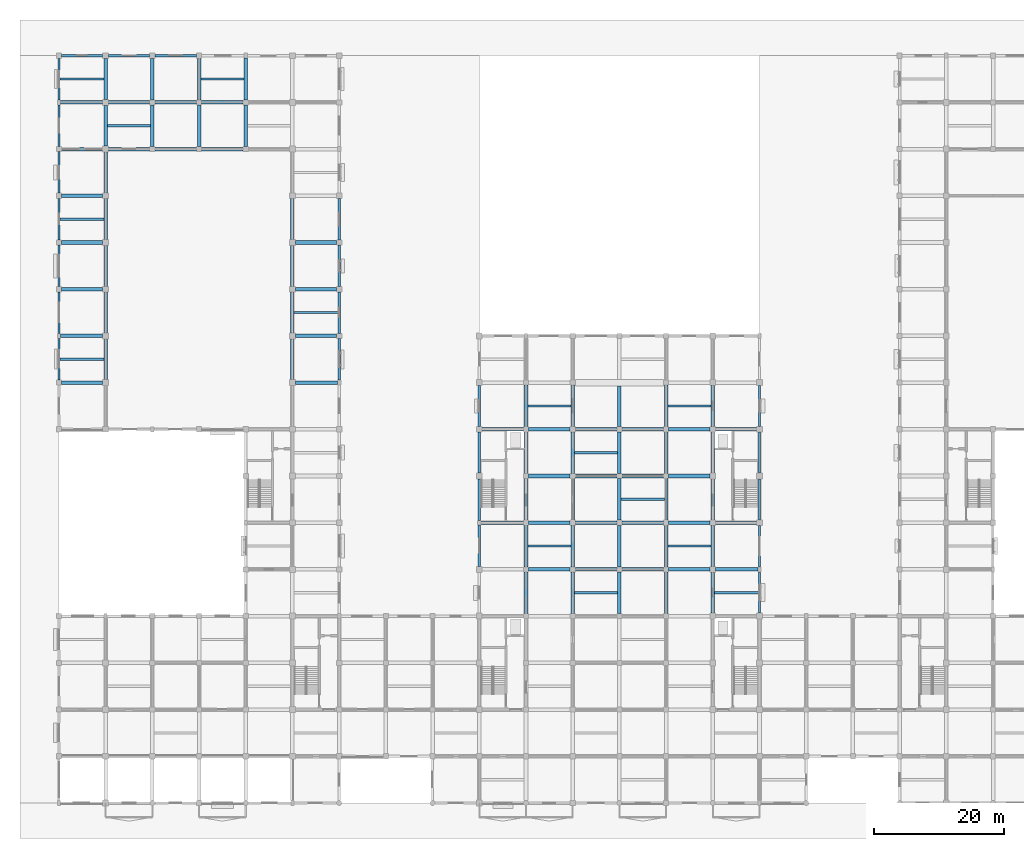
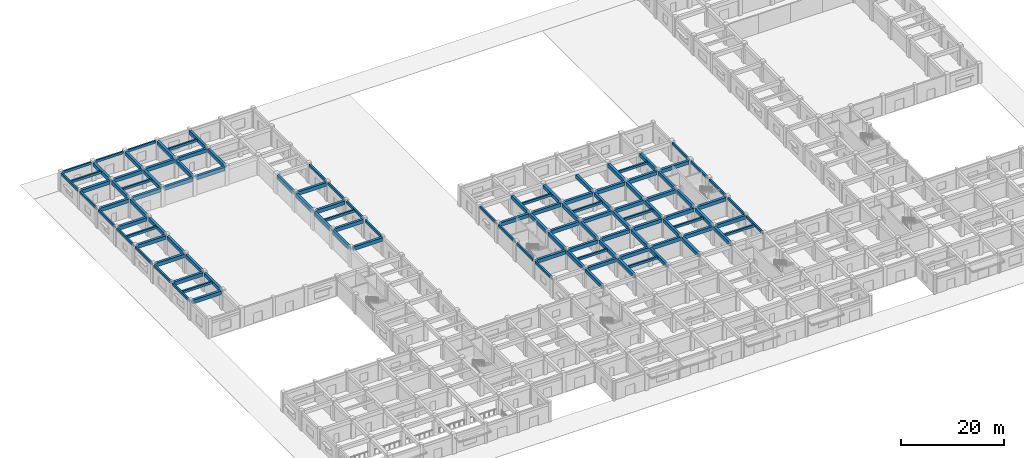
# One storey, part 4 of 37: 117 beams.
"""IFC4 building model written with IfcOpenShell, lengths in metres."""

from ifc_helpers import new_model, si_unit, direction, frame, origin, origin_2d, place, context, subcontext, project, spatial, rectangle, extrude, material, material_profile, profile_set, type_object, element, save


model = new_model("IFC4")

# Units and contexts
model_context = context("Model", 3, precision=1e-05, world=origin(), true_north=direction((0.0, 1.0)))
body_context = subcontext(model_context, "Body", "Model", "MODEL_VIEW")
ifc_project = project(units=[si_unit("LENGTHUNIT", "METRE"), si_unit("AREAUNIT", "SQUARE_METRE"), si_unit("VOLUMEUNIT", "CUBIC_METRE"), si_unit("PLANEANGLEUNIT", "RADIAN"), si_unit("MASSUNIT", "GRAM", prefix="KILO")], contexts=[model_context])

# Site, building, storey
site_placement = place(None, origin())
site = spatial("IfcSite", under=ifc_project, at=site_placement, CompositionType="ELEMENT")
building_placement = place(site_placement, origin())
building = spatial("IfcBuilding", under=site, at=building_placement, Name="Cendaluz Park School", CompositionType="ELEMENT")
storey_placement = place(building_placement, origin())
storey = spatial("IfcBuildingStorey", under=building, at=storey_placement, Name="L00", CompositionType="ELEMENT", Elevation=0.0)

# Beams
ifc_material = material(Name="Concrete C40/50", Category="concrete")
ifc_material_profile_1 = material_profile(ifc_material, rectangle(XDim=0.550048828125, YDim=0.85009765625, at=origin_2d()), Name="RC 550x850", Category="concrete")
ifc_profile_set_1 = profile_set([ifc_material_profile_1], Name="Concrete C40/50")
beam_type_1 = type_object("IfcBeamType", Name="BM-RC01", PredefinedType="BEAM", material=ifc_profile_set_1)
beam_1_placement = place(storey_placement, frame((0.39990234375, 64.800048828125, 4.044921875), z_axis=(1.0, 0.0, 0.0), x_axis=(0.0, 1.0, 0.0)))
element("IfcBeam", 1, at=beam_1_placement, inside=storey, type_object=beam_type_1, Name="BM-L00-BMRC01-0007", PredefinedType="BEAM", context=body_context, shape_type="SweptSolid", body=[
    extrude(rectangle(XDim=0.550048828125, YDim=0.85009765625, at=origin_2d()), origin(), (0.0, 0.0, 1.0), 6.35009765625),
])
beam_2_placement = place(storey_placement, frame((0.25, 72.0, 4.044921875), z_axis=(1.0, 0.0, 0.0), x_axis=(0.0, 1.0, 0.0)))
element("IfcBeam", 2, at=beam_2_placement, inside=storey, type_object=beam_type_1, Name="BM-L00-BMRC01-0008", PredefinedType="BEAM", context=body_context, shape_type="SweptSolid", body=[
    extrude(rectangle(XDim=0.550048828125, YDim=0.85009765625, at=origin_2d()), origin(), (0.0, 0.0, 1.0), 6.5),
])
for number, where, z_axis, x_axis, name in (
    (3, (0.39990234375, 79.199951171875, 4.044921875), (1.0, 0.0, 0.0), (0.0, 1.0, 0.0), "BM-L00-BMRC01-0009"),
    (4, (0.39990234375, 86.39990234375, 4.044921875), (1.0, 0.0, 0.0), (0.0, 1.0, 0.0), "BM-L00-BMRC01-0010"),
    (5, (0.39990234375, 93.60009765625, 4.044921875), (1.0, 0.0, 0.0), (0.0, 1.0, 0.0), "BM-L00-BMRC01-0011"),
    (6, (0.39990234375, 100.800048828125, 4.044921875), (1.0, 0.0, 0.0), (0.0, 1.0, 0.0), "BM-L00-BMRC01-0012"),
):
    element("IfcBeam", number, at=place(storey_placement, frame(where, z_axis=z_axis, x_axis=x_axis)), inside=storey, type_object=beam_type_1, Name=name, PredefinedType="BEAM", context=body_context, shape_type="SweptSolid", body=[
        extrude(rectangle(XDim=0.550048828125, YDim=0.85009765625, at=origin_2d()), origin(), (0.0, 0.0, 1.0), 6.35009765625),
    ])
beam_3_placement = place(storey_placement, frame((0.25, 108.0, 4.044921875), z_axis=(1.0, 0.0, 0.0), x_axis=(0.0, 1.0, 0.0)))
element("IfcBeam", 7, at=beam_3_placement, inside=storey, type_object=beam_type_1, Name="BM-L00-BMRC01-0013", PredefinedType="BEAM", context=body_context, shape_type="SweptSolid", body=[
    extrude(rectangle(XDim=0.550048828125, YDim=0.85009765625, at=origin_2d()), origin(), (0.0, 0.0, 1.0), 6.5),
])
for number, where, z_axis, x_axis, name in (
    (8, (7.64990234375, 100.800048828125, 4.044921875), (1.0, 0.0, 0.0), (0.0, 1.0, 0.0), "BM-L00-BMRC01-0020"),
    (9, (7.64990234375, 108.0, 4.044921875), (1.0, 0.0, 0.0), (0.0, 1.0, 0.0), "BM-L00-BMRC01-0021"),
):
    element("IfcBeam", number, at=place(storey_placement, frame(where, z_axis=z_axis, x_axis=x_axis)), inside=storey, type_object=beam_type_1, Name=name, PredefinedType="BEAM", context=body_context, shape_type="SweptSolid", body=[
        extrude(rectangle(XDim=0.550048828125, YDim=0.85009765625, at=origin_2d()), origin(), (0.0, 0.0, 1.0), 6.35009765625),
    ])
for number, where, z_axis, x_axis, name in (
    (10, (14.800048828125, 100.800048828125, 4.044921875), (1.0, 0.0, 0.0), (0.0, 1.0, 0.0), "BM-L00-BMRC01-0028"),
    (11, (14.800048828125, 108.0, 4.044921875), (1.0, 0.0, 0.0), (0.0, 1.0, 0.0), "BM-L00-BMRC01-0029"),
    (12, (22.0, 100.800048828125, 4.044921875), (1.0, 0.0, 0.0), (0.0, 1.0, 0.0), "BM-L00-BMRC01-0036"),
    (13, (22.0, 108.0, 4.044921875), (1.0, 0.0, 0.0), (0.0, 1.0, 0.0), "BM-L00-BMRC01-0037"),
):
    element("IfcBeam", number, at=place(storey_placement, frame(where, z_axis=z_axis, x_axis=x_axis)), inside=storey, type_object=beam_type_1, Name=name, PredefinedType="BEAM", context=body_context, shape_type="SweptSolid", body=[
        extrude(rectangle(XDim=0.550048828125, YDim=0.85009765625, at=origin_2d()), origin(), (0.0, 0.0, 1.0), 6.39990234375),
    ])
beam_4_placement = place(storey_placement, frame((36.449951171875, 64.800048828125, 4.044921875), z_axis=(1.0, 0.0, 0.0), x_axis=(0.0, 1.0, 0.0)))
element("IfcBeam", 14, at=beam_4_placement, inside=storey, type_object=beam_type_1, Name="BM-L00-BMRC01-0058", PredefinedType="BEAM", context=body_context, shape_type="SweptSolid", body=[
    extrude(rectangle(XDim=0.550048828125, YDim=0.85009765625, at=origin_2d()), origin(), (0.0, 0.0, 1.0), 6.5),
])
for number, where, z_axis, x_axis, name in (
    (15, (36.449951171875, 72.0, 4.044921875), (1.0, 0.0, 0.0), (0.0, 1.0, 0.0), "BM-L00-BMRC01-0059"),
    (16, (36.449951171875, 79.199951171875, 4.044921875), (1.0, 0.0, 0.0), (0.0, 1.0, 0.0), "BM-L00-BMRC01-0060"),
    (17, (36.449951171875, 86.39990234375, 4.044921875), (1.0, 0.0, 0.0), (0.0, 1.0, 0.0), "BM-L00-BMRC01-0061"),
):
    element("IfcBeam", number, at=place(storey_placement, frame(where, z_axis=z_axis, x_axis=x_axis)), inside=storey, type_object=beam_type_1, Name=name, PredefinedType="BEAM", context=body_context, shape_type="SweptSolid", body=[
        extrude(rectangle(XDim=0.550048828125, YDim=0.85009765625, at=origin_2d()), origin(), (0.0, 0.0, 1.0), 6.35009765625),
    ])
beam_5_placement = place(storey_placement, frame((65.050048828125, 43.199951171875, 4.044921875), z_axis=(1.0, 0.0, 0.0), x_axis=(0.0, 1.0, 0.0)))
element("IfcBeam", 18, at=beam_5_placement, inside=storey, type_object=beam_type_1, Name="BM-L00-BMRC01-0084", PredefinedType="BEAM", context=body_context, shape_type="SweptSolid", body=[
    extrude(rectangle(XDim=0.550048828125, YDim=0.85009765625, at=origin_2d()), origin(), (0.0, 0.0, 1.0), 6.550048828125),
])
beam_6_placement = place(storey_placement, frame((65.25, 57.60009765625, 4.044921875), z_axis=(1.0, 0.0, 0.0), x_axis=(0.0, 1.0, 0.0)))
element("IfcBeam", 19, at=beam_6_placement, inside=storey, type_object=beam_type_1, Name="BM-L00-BMRC01-0085", PredefinedType="BEAM", context=body_context, shape_type="SweptSolid", body=[
    extrude(rectangle(XDim=0.550048828125, YDim=0.85009765625, at=origin_2d()), origin(), (0.0, 0.0, 1.0), 6.35009765625),
])
for number, where, z_axis, x_axis, name in (
    (20, (72.39990234375, 36.0, 4.044921875), (1.0, 0.0, 0.0), (0.0, 1.0, 0.0), "BM-L00-BMRC01-0093"),
    (21, (72.39990234375, 43.199951171875, 4.044921875), (1.0, 0.0, 0.0), (0.0, 1.0, 0.0), "BM-L00-BMRC01-0094"),
    (22, (72.39990234375, 50.39990234375, 4.044921875), (1.0, 0.0, 0.0), (0.0, 1.0, 0.0), "BM-L00-BMRC01-0095"),
    (23, (72.39990234375, 57.60009765625, 4.044921875), (1.0, 0.0, 0.0), (0.0, 1.0, 0.0), "BM-L00-BMRC01-0096"),
):
    element("IfcBeam", number, at=place(storey_placement, frame(where, z_axis=z_axis, x_axis=x_axis)), inside=storey, type_object=beam_type_1, Name=name, PredefinedType="BEAM", context=body_context, shape_type="SweptSolid", body=[
        extrude(rectangle(XDim=0.550048828125, YDim=0.85009765625, at=origin_2d()), origin(), (0.0, 0.0, 1.0), 6.400146484375),
    ])
for number, where, z_axis, x_axis, name in (
    (24, (79.60009765625, 36.0, 4.044921875), (1.0, 0.0, 0.0), (0.0, 1.0, 0.0), "BM-L00-BMRC01-0104"),
    (25, (79.60009765625, 43.199951171875, 4.044921875), (1.0, 0.0, 0.0), (0.0, 1.0, 0.0), "BM-L00-BMRC01-0105"),
    (26, (79.60009765625, 50.39990234375, 4.044921875), (1.0, 0.0, 0.0), (0.0, 1.0, 0.0), "BM-L00-BMRC01-0106"),
    (27, (79.60009765625, 57.60009765625, 4.044921875), (1.0, 0.0, 0.0), (0.0, 1.0, 0.0), "BM-L00-BMRC01-0107"),
    (28, (86.800048828125, 36.0, 4.044921875), (1.0, 0.0, 0.0), (0.0, 1.0, 0.0), "BM-L00-BMRC01-0114"),
    (29, (86.800048828125, 43.199951171875, 4.044921875), (1.0, 0.0, 0.0), (0.0, 1.0, 0.0), "BM-L00-BMRC01-0115"),
    (30, (86.800048828125, 50.39990234375, 4.044921875), (1.0, 0.0, 0.0), (0.0, 1.0, 0.0), "BM-L00-BMRC01-0116"),
    (31, (86.800048828125, 57.60009765625, 4.044921875), (1.0, 0.0, 0.0), (0.0, 1.0, 0.0), "BM-L00-BMRC01-0117"),
):
    element("IfcBeam", number, at=place(storey_placement, frame(where, z_axis=z_axis, x_axis=x_axis)), inside=storey, type_object=beam_type_1, Name=name, PredefinedType="BEAM", context=body_context, shape_type="SweptSolid", body=[
        extrude(rectangle(XDim=0.550048828125, YDim=0.85009765625, at=origin_2d()), origin(), (0.0, 0.0, 1.0), 6.39990234375),
    ])
for number, where, z_axis, x_axis, name in (
    (32, (94.0, 36.0, 4.044921875), (1.0, 0.0, 0.0), (0.0, 1.0, 0.0), "BM-L00-BMRC01-0124"),
    (33, (94.0, 43.199951171875, 4.044921875), (1.0, 0.0, 0.0), (0.0, 1.0, 0.0), "BM-L00-BMRC01-0125"),
    (34, (94.0, 50.39990234375, 4.044921875), (1.0, 0.0, 0.0), (0.0, 1.0, 0.0), "BM-L00-BMRC01-0126"),
    (35, (94.0, 57.60009765625, 4.044921875), (1.0, 0.0, 0.0), (0.0, 1.0, 0.0), "BM-L00-BMRC01-0127"),
):
    element("IfcBeam", number, at=place(storey_placement, frame(where, z_axis=z_axis, x_axis=x_axis)), inside=storey, type_object=beam_type_1, Name=name, PredefinedType="BEAM", context=body_context, shape_type="SweptSolid", body=[
        extrude(rectangle(XDim=0.550048828125, YDim=0.85009765625, at=origin_2d()), origin(), (0.0, 0.0, 1.0), 6.35009765625),
    ])
beam_7_placement = place(storey_placement, frame((101.25, 36.0, 4.044921875), z_axis=(1.0, 0.0, 0.0), x_axis=(0.0, 1.0, 0.0)))
element("IfcBeam", 36, at=beam_7_placement, inside=storey, type_object=beam_type_1, Name="BM-L00-BMRC01-0134", PredefinedType="BEAM", context=body_context, shape_type="SweptSolid", body=[
    extrude(rectangle(XDim=0.550048828125, YDim=0.85009765625, at=origin_2d()), origin(), (0.0, 0.0, 1.0), 6.5),
])
for number, where, z_axis, x_axis, name in (
    (37, (101.25, 43.199951171875, 4.044921875), (1.0, 0.0, 0.0), (0.0, 1.0, 0.0), "BM-L00-BMRC01-0135"),
    (38, (101.25, 57.60009765625, 4.044921875), (1.0, 0.0, 0.0), (0.0, 1.0, 0.0), "BM-L00-BMRC01-0136"),
    (39, (7.199951171875, 65.25, 4.044921875), (0.0, 1.0, 0.0), (-1.0, 0.0, 0.0), "BM-L00-BMRC01-0234"),
    (40, (7.199951171875, 72.449951171875, 4.044921875), (0.0, 1.0, 0.0), (-1.0, 0.0, 0.0), "BM-L00-BMRC01-0235"),
    (41, (7.199951171875, 79.64990234375, 4.044921875), (0.0, 1.0, 0.0), (-1.0, 0.0, 0.0), "BM-L00-BMRC01-0236"),
):
    element("IfcBeam", number, at=place(storey_placement, frame(where, z_axis=z_axis, x_axis=x_axis)), inside=storey, type_object=beam_type_1, Name=name, PredefinedType="BEAM", context=body_context, shape_type="SweptSolid", body=[
        extrude(rectangle(XDim=0.550048828125, YDim=0.85009765625, at=origin_2d()), origin(), (0.0, 0.0, 1.0), 6.300048828125),
    ])
beam_8_placement = place(storey_placement, frame((7.199951171875, 86.85009765625, 4.044921875), z_axis=(0.0, 1.0, 0.0), x_axis=(-1.0, 0.0, 0.0)))
element("IfcBeam", 42, at=beam_8_placement, inside=storey, type_object=beam_type_1, Name="BM-L00-BMRC01-0237", PredefinedType="BEAM", context=body_context, shape_type="SweptSolid", body=[
    extrude(rectangle(XDim=0.550048828125, YDim=0.85009765625, at=origin_2d()), origin(), (0.0, 0.0, 1.0), 6.2998046875),
])
for number, where, z_axis, x_axis, name in (
    (43, (7.199951171875, 94.050048828125, 4.044921875), (0.0, 1.0, 0.0), (-1.0, 0.0, 0.0), "BM-L00-BMRC01-0238"),
    (44, (7.199951171875, 101.25, 4.044921875), (0.0, 1.0, 0.0), (-1.0, 0.0, 0.0), "BM-L00-BMRC01-0239"),
    (45, (7.199951171875, 108.449951171875, 4.044921875), (0.0, 1.0, 0.0), (-1.0, 0.0, 0.0), "BM-L00-BMRC01-0240"),
):
    element("IfcBeam", number, at=place(storey_placement, frame(where, z_axis=z_axis, x_axis=x_axis)), inside=storey, type_object=beam_type_1, Name=name, PredefinedType="BEAM", context=body_context, shape_type="SweptSolid", body=[
        extrude(rectangle(XDim=0.550048828125, YDim=0.85009765625, at=origin_2d()), origin(), (0.0, 0.0, 1.0), 6.300048828125),
    ])
for number, where, z_axis, x_axis, name in (
    (46, (14.39990234375, 101.199951171875, 4.044921875), (0.0, 1.0, 0.0), (-1.0, 0.0, 0.0), "BM-L00-BMRC01-0245"),
    (47, (14.39990234375, 108.39990234375, 4.044921875), (0.0, 1.0, 0.0), (-1.0, 0.0, 0.0), "BM-L00-BMRC01-0246"),
    (48, (21.60009765625, 101.199951171875, 4.044921875), (0.0, 1.0, 0.0), (-1.0, 0.0, 0.0), "BM-L00-BMRC01-0251"),
    (49, (21.60009765625, 108.39990234375, 4.044921875), (0.0, 1.0, 0.0), (-1.0, 0.0, 0.0), "BM-L00-BMRC01-0252"),
    (50, (28.800048828125, 101.199951171875, 4.044921875), (0.0, 1.0, 0.0), (-1.0, 0.0, 0.0), "BM-L00-BMRC01-0261"),
):
    element("IfcBeam", number, at=place(storey_placement, frame(where, z_axis=z_axis, x_axis=x_axis)), inside=storey, type_object=beam_type_1, Name=name, PredefinedType="BEAM", context=body_context, shape_type="SweptSolid", body=[
        extrude(rectangle(XDim=0.550048828125, YDim=0.85009765625, at=origin_2d()), origin(), (0.0, 0.0, 1.0), 6.400146484375),
    ])
beam_9_placement = place(storey_placement, frame((28.800048828125, 108.39990234375, 4.044921875), z_axis=(0.0, 1.0, 0.0), x_axis=(-1.0, 0.0, 0.0)))
element("IfcBeam", 51, at=beam_9_placement, inside=storey, type_object=beam_type_1, Name="BM-L00-BMRC01-0262", PredefinedType="BEAM", context=body_context, shape_type="SweptSolid", body=[
    extrude(rectangle(XDim=0.550048828125, YDim=0.85009765625, at=origin_2d()), origin(), (0.0, 0.0, 1.0), 6.425048828125),
])
for number, where, z_axis, x_axis, name in (
    (52, (36.0, 65.25, 4.044921875), (0.0, 1.0, 0.0), (-1.0, 0.0, 0.0), "BM-L00-BMRC01-0272"),
    (53, (36.0, 72.449951171875, 4.044921875), (0.0, 1.0, 0.0), (-1.0, 0.0, 0.0), "BM-L00-BMRC01-0273"),
    (54, (36.0, 79.64990234375, 4.044921875), (0.0, 1.0, 0.0), (-1.0, 0.0, 0.0), "BM-L00-BMRC01-0274"),
):
    element("IfcBeam", number, at=place(storey_placement, frame(where, z_axis=z_axis, x_axis=x_axis)), inside=storey, type_object=beam_type_1, Name=name, PredefinedType="BEAM", context=body_context, shape_type="SweptSolid", body=[
        extrude(rectangle(XDim=0.550048828125, YDim=0.85009765625, at=origin_2d()), origin(), (0.0, 0.0, 1.0), 6.300048828125),
    ])
beam_10_placement = place(storey_placement, frame((36.0, 86.85009765625, 4.044921875), z_axis=(0.0, 1.0, 0.0), x_axis=(-1.0, 0.0, 0.0)))
element("IfcBeam", 55, at=beam_10_placement, inside=storey, type_object=beam_type_1, Name="BM-L00-BMRC01-0275", PredefinedType="BEAM", context=body_context, shape_type="SweptSolid", body=[
    extrude(rectangle(XDim=0.550048828125, YDim=0.85009765625, at=origin_2d()), origin(), (0.0, 0.0, 1.0), 6.2998046875),
])
for number, where, z_axis, x_axis, name in (
    (56, (72.0, 29.199951171875, 4.044921875), (0.0, 1.0, 0.0), (-1.0, 0.0, 0.0), "BM-L00-BMRC01-0316"),
    (57, (72.0, 36.39990234375, 4.044921875), (0.0, 1.0, 0.0), (-1.0, 0.0, 0.0), "BM-L00-BMRC01-0317"),
):
    element("IfcBeam", number, at=place(storey_placement, frame(where, z_axis=z_axis, x_axis=x_axis)), inside=storey, type_object=beam_type_1, Name=name, PredefinedType="BEAM", context=body_context, shape_type="SweptSolid", body=[
        extrude(rectangle(XDim=0.550048828125, YDim=0.85009765625, at=origin_2d()), origin(), (0.0, 0.0, 1.0), 6.400146484375),
    ])
for number, where, z_axis, x_axis, name in (
    (58, (72.0, 43.60009765625, 4.044921875), (0.0, 1.0, 0.0), (-1.0, 0.0, 0.0), "BM-L00-BMRC01-0318"),
    (59, (72.0, 50.800048828125, 4.044921875), (0.0, 1.0, 0.0), (-1.0, 0.0, 0.0), "BM-L00-BMRC01-0319"),
    (60, (72.0, 58.0, 4.044921875), (0.0, 1.0, 0.0), (-1.0, 0.0, 0.0), "BM-L00-BMRC01-0320"),
):
    element("IfcBeam", number, at=place(storey_placement, frame(where, z_axis=z_axis, x_axis=x_axis)), inside=storey, type_object=beam_type_1, Name=name, PredefinedType="BEAM", context=body_context, shape_type="SweptSolid", body=[
        extrude(rectangle(XDim=0.550048828125, YDim=0.85009765625, at=origin_2d()), origin(), (0.0, 0.0, 1.0), 6.39990234375),
    ])
for number, where, z_axis, x_axis, name in (
    (61, (79.199951171875, 29.199951171875, 4.044921875), (0.0, 1.0, 0.0), (-1.0, 0.0, 0.0), "BM-L00-BMRC01-0326"),
    (62, (79.199951171875, 36.39990234375, 4.044921875), (0.0, 1.0, 0.0), (-1.0, 0.0, 0.0), "BM-L00-BMRC01-0327"),
):
    element("IfcBeam", number, at=place(storey_placement, frame(where, z_axis=z_axis, x_axis=x_axis)), inside=storey, type_object=beam_type_1, Name=name, PredefinedType="BEAM", context=body_context, shape_type="SweptSolid", body=[
        extrude(rectangle(XDim=0.550048828125, YDim=0.85009765625, at=origin_2d()), origin(), (0.0, 0.0, 1.0), 6.400146484375),
    ])
for number, where, z_axis, x_axis, name in (
    (63, (79.199951171875, 43.60009765625, 4.044921875), (0.0, 1.0, 0.0), (-1.0, 0.0, 0.0), "BM-L00-BMRC01-0328"),
    (64, (79.199951171875, 50.800048828125, 4.044921875), (0.0, 1.0, 0.0), (-1.0, 0.0, 0.0), "BM-L00-BMRC01-0329"),
    (65, (79.199951171875, 58.0, 4.044921875), (0.0, 1.0, 0.0), (-1.0, 0.0, 0.0), "BM-L00-BMRC01-0330"),
):
    element("IfcBeam", number, at=place(storey_placement, frame(where, z_axis=z_axis, x_axis=x_axis)), inside=storey, type_object=beam_type_1, Name=name, PredefinedType="BEAM", context=body_context, shape_type="SweptSolid", body=[
        extrude(rectangle(XDim=0.550048828125, YDim=0.85009765625, at=origin_2d()), origin(), (0.0, 0.0, 1.0), 6.39990234375),
    ])
for number, where, z_axis, x_axis, name in (
    (66, (86.39990234375, 29.199951171875, 4.044921875), (0.0, 1.0, 0.0), (-1.0, 0.0, 0.0), "BM-L00-BMRC01-0336"),
    (67, (86.39990234375, 36.39990234375, 4.044921875), (0.0, 1.0, 0.0), (-1.0, 0.0, 0.0), "BM-L00-BMRC01-0337"),
):
    element("IfcBeam", number, at=place(storey_placement, frame(where, z_axis=z_axis, x_axis=x_axis)), inside=storey, type_object=beam_type_1, Name=name, PredefinedType="BEAM", context=body_context, shape_type="SweptSolid", body=[
        extrude(rectangle(XDim=0.550048828125, YDim=0.85009765625, at=origin_2d()), origin(), (0.0, 0.0, 1.0), 6.400146484375),
    ])
for number, where, z_axis, x_axis, name in (
    (68, (86.39990234375, 43.60009765625, 4.044921875), (0.0, 1.0, 0.0), (-1.0, 0.0, 0.0), "BM-L00-BMRC01-0338"),
    (69, (86.39990234375, 50.800048828125, 4.044921875), (0.0, 1.0, 0.0), (-1.0, 0.0, 0.0), "BM-L00-BMRC01-0339"),
):
    element("IfcBeam", number, at=place(storey_placement, frame(where, z_axis=z_axis, x_axis=x_axis)), inside=storey, type_object=beam_type_1, Name=name, PredefinedType="BEAM", context=body_context, shape_type="SweptSolid", body=[
        extrude(rectangle(XDim=0.550048828125, YDim=0.85009765625, at=origin_2d()), origin(), (0.0, 0.0, 1.0), 6.39990234375),
    ])
for number, where, z_axis, x_axis, name in (
    (70, (93.60009765625, 29.199951171875, 4.044921875), (0.0, 1.0, 0.0), (-1.0, 0.0, 0.0), "BM-L00-BMRC01-0344"),
    (71, (93.60009765625, 36.39990234375, 4.044921875), (0.0, 1.0, 0.0), (-1.0, 0.0, 0.0), "BM-L00-BMRC01-0345"),
):
    element("IfcBeam", number, at=place(storey_placement, frame(where, z_axis=z_axis, x_axis=x_axis)), inside=storey, type_object=beam_type_1, Name=name, PredefinedType="BEAM", context=body_context, shape_type="SweptSolid", body=[
        extrude(rectangle(XDim=0.550048828125, YDim=0.85009765625, at=origin_2d()), origin(), (0.0, 0.0, 1.0), 6.400146484375),
    ])
for number, where, z_axis, x_axis, name in (
    (72, (93.60009765625, 43.60009765625, 4.044921875), (0.0, 1.0, 0.0), (-1.0, 0.0, 0.0), "BM-L00-BMRC01-0346"),
    (73, (93.60009765625, 50.800048828125, 4.044921875), (0.0, 1.0, 0.0), (-1.0, 0.0, 0.0), "BM-L00-BMRC01-0347"),
    (74, (93.60009765625, 58.0, 4.044921875), (0.0, 1.0, 0.0), (-1.0, 0.0, 0.0), "BM-L00-BMRC01-0348"),
):
    element("IfcBeam", number, at=place(storey_placement, frame(where, z_axis=z_axis, x_axis=x_axis)), inside=storey, type_object=beam_type_1, Name=name, PredefinedType="BEAM", context=body_context, shape_type="SweptSolid", body=[
        extrude(rectangle(XDim=0.550048828125, YDim=0.85009765625, at=origin_2d()), origin(), (0.0, 0.0, 1.0), 6.39990234375),
    ])
for number, where, z_axis, x_axis, name in (
    (75, (100.800048828125, 29.25, 4.044921875), (0.0, 1.0, 0.0), (-1.0, 0.0, 0.0), "BM-L00-BMRC01-0354"),
    (76, (100.800048828125, 36.449951171875, 4.044921875), (0.0, 1.0, 0.0), (-1.0, 0.0, 0.0), "BM-L00-BMRC01-0355"),
    (77, (100.800048828125, 43.64990234375, 4.044921875), (0.0, 1.0, 0.0), (-1.0, 0.0, 0.0), "BM-L00-BMRC01-0356"),
):
    element("IfcBeam", number, at=place(storey_placement, frame(where, z_axis=z_axis, x_axis=x_axis)), inside=storey, type_object=beam_type_1, Name=name, PredefinedType="BEAM", context=body_context, shape_type="SweptSolid", body=[
        extrude(rectangle(XDim=0.550048828125, YDim=0.85009765625, at=origin_2d()), origin(), (0.0, 0.0, 1.0), 6.300048828125),
    ])
beam_11_placement = place(storey_placement, frame((100.800048828125, 50.85009765625, 4.044921875), z_axis=(0.0, 1.0, 0.0), x_axis=(-1.0, 0.0, 0.0)))
element("IfcBeam", 78, at=beam_11_placement, inside=storey, type_object=beam_type_1, Name="BM-L00-BMRC01-0357", PredefinedType="BEAM", context=body_context, shape_type="SweptSolid", body=[
    extrude(rectangle(XDim=0.550048828125, YDim=0.85009765625, at=origin_2d()), origin(), (0.0, 0.0, 1.0), 6.2998046875),
])
for number, where, z_axis, x_axis, name in (
    (79, (100.800048828125, 58.050048828125, 4.044921875), (0.0, 1.0, 0.0), (-1.0, 0.0, 0.0), "BM-L00-BMRC01-0358"),
    (80, (86.39990234375, 58.0, 4.044921875), (0.0, 1.0, 0.0), (-1.0, 0.0, 0.0), "BM-L00-BMRC01-0456"),
):
    element("IfcBeam", number, at=place(storey_placement, frame(where, z_axis=z_axis, x_axis=x_axis)), inside=storey, type_object=beam_type_1, Name=name, PredefinedType="BEAM", context=body_context, shape_type="SweptSolid", body=[
        extrude(rectangle(XDim=0.550048828125, YDim=0.85009765625, at=origin_2d()), origin(), (0.0, 0.0, 1.0), 6.300048828125),
    ])
ifc_material_profile_2 = material_profile(ifc_material, rectangle(XDim=0.35009765625, YDim=0.580078125, at=origin_2d()), Name="RC 350x580", Category="concrete")
ifc_profile_set_2 = profile_set([ifc_material_profile_2], Name="Concrete C40/50")
beam_type_2 = type_object("IfcBeamType", Name="BM-RC04", PredefinedType="LINTEL", material=ifc_profile_set_2)
for number, where, z_axis, x_axis, name in (
    (81, (0.39990234375, 115.199951171875, 4.179931640625), (1.0, 0.0, 0.0), (0.0, 1.0, 0.0), "BM-L00-BMRC04-0014"),
    (82, (7.64990234375, 115.199951171875, 4.179931640625), (1.0, 0.0, 0.0), (0.0, 1.0, 0.0), "BM-L00-BMRC04-0022"),
):
    element("IfcBeam", number, at=place(storey_placement, frame(where, z_axis=z_axis, x_axis=x_axis)), inside=storey, type_object=beam_type_2, Name=name, PredefinedType="LINTEL", context=body_context, shape_type="SweptSolid", body=[
        extrude(rectangle(XDim=0.35009765625, YDim=0.580078125, at=origin_2d()), origin(), (0.0, 0.0, 1.0), 6.35009765625),
    ])
beam_12_placement = place(storey_placement, frame((14.800048828125, 115.199951171875, 4.179931640625), z_axis=(1.0, 0.0, 0.0), x_axis=(0.0, 1.0, 0.0)))
element("IfcBeam", 83, at=beam_12_placement, inside=storey, type_object=beam_type_2, Name="BM-L00-BMRC04-0030", PredefinedType="LINTEL", context=body_context, shape_type="SweptSolid", body=[
    extrude(rectangle(XDim=0.35009765625, YDim=0.580078125, at=origin_2d()), origin(), (0.0, 0.0, 1.0), 6.39990234375),
])
for number, where, z_axis, x_axis, name in (
    (84, (0.0, 65.199951171875, 4.179931640625), (0.0, 1.0, 0.0), (-1.0, 0.0, 0.0), "BM-L00-BMRC04-0222"),
    (85, (0.0, 72.375, 4.179931640625), (0.0, 1.0, 0.0), (-1.0, 0.0, 0.0), "BM-L00-BMRC04-0223"),
):
    element("IfcBeam", number, at=place(storey_placement, frame(where, z_axis=z_axis, x_axis=x_axis)), inside=storey, type_object=beam_type_2, Name=name, PredefinedType="LINTEL", context=body_context, shape_type="SweptSolid", body=[
        extrude(rectangle(XDim=0.35009765625, YDim=0.580078125, at=origin_2d()), origin(), (0.0, 0.0, 1.0), 6.425048828125),
    ])
for number, where, z_axis, x_axis, name in (
    (86, (0.0, 79.60009765625, 4.179931640625), (0.0, 1.0, 0.0), (-1.0, 0.0, 0.0), "BM-L00-BMRC04-0224"),
    (87, (0.0, 86.800048828125, 4.179931640625), (0.0, 1.0, 0.0), (-1.0, 0.0, 0.0), "BM-L00-BMRC04-0225"),
    (88, (0.0, 94.0, 4.179931640625), (0.0, 1.0, 0.0), (-1.0, 0.0, 0.0), "BM-L00-BMRC04-0226"),
):
    element("IfcBeam", number, at=place(storey_placement, frame(where, z_axis=z_axis, x_axis=x_axis)), inside=storey, type_object=beam_type_2, Name=name, PredefinedType="LINTEL", context=body_context, shape_type="SweptSolid", body=[
        extrude(rectangle(XDim=0.35009765625, YDim=0.580078125, at=origin_2d()), origin(), (0.0, 0.0, 1.0), 6.39990234375),
    ])
for number, where, z_axis, x_axis, name in (
    (89, (0.0, 101.199951171875, 4.179931640625), (0.0, 1.0, 0.0), (-1.0, 0.0, 0.0), "BM-L00-BMRC04-0227"),
    (90, (0.0, 108.375, 4.179931640625), (0.0, 1.0, 0.0), (-1.0, 0.0, 0.0), "BM-L00-BMRC04-0228"),
    (91, (43.199951171875, 65.175048828125, 4.179931640625), (0.0, 1.0, 0.0), (-1.0, 0.0, 0.0), "BM-L00-BMRC04-0288"),
):
    element("IfcBeam", number, at=place(storey_placement, frame(where, z_axis=z_axis, x_axis=x_axis)), inside=storey, type_object=beam_type_2, Name=name, PredefinedType="LINTEL", context=body_context, shape_type="SweptSolid", body=[
        extrude(rectangle(XDim=0.35009765625, YDim=0.580078125, at=origin_2d()), origin(), (0.0, 0.0, 1.0), 6.425048828125),
    ])
beam_13_placement = place(storey_placement, frame((43.199951171875, 72.39990234375, 4.179931640625), z_axis=(0.0, 1.0, 0.0), x_axis=(-1.0, 0.0, 0.0)))
element("IfcBeam", 92, at=beam_13_placement, inside=storey, type_object=beam_type_2, Name="BM-L00-BMRC04-0289", PredefinedType="LINTEL", context=body_context, shape_type="SweptSolid", body=[
    extrude(rectangle(XDim=0.35009765625, YDim=0.580078125, at=origin_2d()), origin(), (0.0, 0.0, 1.0), 6.400146484375),
])
for number, where, z_axis, x_axis, name in (
    (93, (43.199951171875, 79.60009765625, 4.179931640625), (0.0, 1.0, 0.0), (-1.0, 0.0, 0.0), "BM-L00-BMRC04-0290"),
    (94, (43.199951171875, 86.800048828125, 4.179931640625), (0.0, 1.0, 0.0), (-1.0, 0.0, 0.0), "BM-L00-BMRC04-0291"),
):
    element("IfcBeam", number, at=place(storey_placement, frame(where, z_axis=z_axis, x_axis=x_axis)), inside=storey, type_object=beam_type_2, Name=name, PredefinedType="LINTEL", context=body_context, shape_type="SweptSolid", body=[
        extrude(rectangle(XDim=0.35009765625, YDim=0.580078125, at=origin_2d()), origin(), (0.0, 0.0, 1.0), 6.39990234375),
    ])
for number, where, z_axis, x_axis, name in (
    (95, (64.800048828125, 36.449951171875, 4.179931640625), (0.0, 1.0, 0.0), (-1.0, 0.0, 0.0), "BM-L00-BMRC04-0307"),
    (96, (64.800048828125, 43.574951171875, 4.179931640625), (0.0, 1.0, 0.0), (-1.0, 0.0, 0.0), "BM-L00-BMRC04-0308"),
):
    element("IfcBeam", number, at=place(storey_placement, frame(where, z_axis=z_axis, x_axis=x_axis)), inside=storey, type_object=beam_type_2, Name=name, PredefinedType="LINTEL", context=body_context, shape_type="SweptSolid", body=[
        extrude(rectangle(XDim=0.35009765625, YDim=0.580078125, at=origin_2d()), origin(), (0.0, 0.0, 1.0), 6.375),
    ])
beam_14_placement = place(storey_placement, frame((64.800048828125, 50.85009765625, 4.179931640625), z_axis=(0.0, 1.0, 0.0), x_axis=(-1.0, 0.0, 0.0)))
element("IfcBeam", 97, at=beam_14_placement, inside=storey, type_object=beam_type_2, Name="BM-L00-BMRC04-0309", PredefinedType="LINTEL", context=body_context, shape_type="SweptSolid", body=[
    extrude(rectangle(XDim=0.35009765625, YDim=0.580078125, at=origin_2d()), origin(), (0.0, 0.0, 1.0), 6.2998046875),
])
beam_15_placement = place(storey_placement, frame((64.800048828125, 58.050048828125, 4.179931640625), z_axis=(0.0, 1.0, 0.0), x_axis=(-1.0, 0.0, 0.0)))
element("IfcBeam", 98, at=beam_15_placement, inside=storey, type_object=beam_type_2, Name="BM-L00-BMRC04-0310", PredefinedType="LINTEL", context=body_context, shape_type="SweptSolid", body=[
    extrude(rectangle(XDim=0.35009765625, YDim=0.580078125, at=origin_2d()), origin(), (0.0, 0.0, 1.0), 6.300048828125),
])
for number, where, z_axis, x_axis, name in (
    (99, (108.0, 29.25, 4.179931640625), (0.0, 1.0, 0.0), (-1.0, 0.0, 0.0), "BM-L00-BMRC04-0364"),
    (100, (108.0, 36.375, 4.179931640625), (0.0, 1.0, 0.0), (-1.0, 0.0, 0.0), "BM-L00-BMRC04-0365"),
):
    element("IfcBeam", number, at=place(storey_placement, frame(where, z_axis=z_axis, x_axis=x_axis)), inside=storey, type_object=beam_type_2, Name=name, PredefinedType="LINTEL", context=body_context, shape_type="SweptSolid", body=[
        extrude(rectangle(XDim=0.35009765625, YDim=0.580078125, at=origin_2d()), origin(), (0.0, 0.0, 1.0), 6.375),
    ])
beam_16_placement = place(storey_placement, frame((108.0, 43.64990234375, 4.179931640625), z_axis=(0.0, 1.0, 0.0), x_axis=(-1.0, 0.0, 0.0)))
element("IfcBeam", 101, at=beam_16_placement, inside=storey, type_object=beam_type_2, Name="BM-L00-BMRC04-0366", PredefinedType="LINTEL", context=body_context, shape_type="SweptSolid", body=[
    extrude(rectangle(XDim=0.35009765625, YDim=0.580078125, at=origin_2d()), origin(), (0.0, 0.0, 1.0), 6.300048828125),
])
beam_17_placement = place(storey_placement, frame((108.0, 50.85009765625, 4.179931640625), z_axis=(0.0, 1.0, 0.0), x_axis=(-1.0, 0.0, 0.0)))
element("IfcBeam", 102, at=beam_17_placement, inside=storey, type_object=beam_type_2, Name="BM-L00-BMRC04-0367", PredefinedType="LINTEL", context=body_context, shape_type="SweptSolid", body=[
    extrude(rectangle(XDim=0.35009765625, YDim=0.580078125, at=origin_2d()), origin(), (0.0, 0.0, 1.0), 6.2998046875),
])
beam_18_placement = place(storey_placement, frame((108.0, 58.050048828125, 4.179931640625), z_axis=(0.0, 1.0, 0.0), x_axis=(-1.0, 0.0, 0.0)))
element("IfcBeam", 103, at=beam_18_placement, inside=storey, type_object=beam_type_2, Name="BM-L00-BMRC04-0368", PredefinedType="LINTEL", context=body_context, shape_type="SweptSolid", body=[
    extrude(rectangle(XDim=0.35009765625, YDim=0.580078125, at=origin_2d()), origin(), (0.0, 0.0, 1.0), 6.300048828125),
])
ifc_material_profile_3 = material_profile(ifc_material, rectangle(XDim=0.35009765625, YDim=0.580078125, at=origin_2d()), Name="RC 350x580", Category="concrete")
ifc_profile_set_3 = profile_set([ifc_material_profile_3], Name="Concrete C40/50")
beam_type_3 = type_object("IfcBeamType", Name="JT-RC01", PredefinedType="JOIST", material=ifc_profile_set_3)
for number, where, z_axis, x_axis, name in (
    (104, (0.175048828125, 68.39990234375, 4.179931640625), (1.0, 0.0, 0.0), (0.0, 1.0, 0.0), "BM-L00-JTRC01-0459"),
    (105, (0.175048828125, 90.0, 4.179931640625), (1.0, 0.0, 0.0), (0.0, 1.0, 0.0), "BM-L00-JTRC01-0460"),
    (106, (0.175048828125, 111.60009765625, 4.179931640625), (1.0, 0.0, 0.0), (0.0, 1.0, 0.0), "BM-L00-JTRC01-0461"),
):
    element("IfcBeam", number, at=place(storey_placement, frame(where, z_axis=z_axis, x_axis=x_axis)), inside=storey, type_object=beam_type_3, Name=name, PredefinedType="JOIST", context=body_context, shape_type="SweptSolid", body=[
        extrude(rectangle(XDim=0.35009765625, YDim=0.580078125, at=origin_2d()), origin(), (0.0, 0.0, 1.0), 6.75),
    ])
for number, where, z_axis, x_axis, name in (
    (107, (7.47509765625, 104.39990234375, 4.179931640625), (1.0, 0.0, 0.0), (0.0, 1.0, 0.0), "BM-L00-JTRC01-0463"),
    (108, (21.875, 111.60009765625, 4.179931640625), (1.0, 0.0, 0.0), (0.0, 1.0, 0.0), "BM-L00-JTRC01-0466"),
):
    element("IfcBeam", number, at=place(storey_placement, frame(where, z_axis=z_axis, x_axis=x_axis)), inside=storey, type_object=beam_type_3, Name=name, PredefinedType="JOIST", context=body_context, shape_type="SweptSolid", body=[
        extrude(rectangle(XDim=0.35009765625, YDim=0.580078125, at=origin_2d()), origin(), (0.0, 0.0, 1.0), 6.64990234375),
    ])
beam_19_placement = place(storey_placement, frame((36.27490234375, 75.60009765625, 4.179931640625), z_axis=(1.0, 0.0, 0.0), x_axis=(0.0, 1.0, 0.0)))
element("IfcBeam", 109, at=beam_19_placement, inside=storey, type_object=beam_type_3, Name="BM-L00-JTRC01-0473", PredefinedType="JOIST", context=body_context, shape_type="SweptSolid", body=[
    extrude(rectangle(XDim=0.35009765625, YDim=0.580078125, at=origin_2d()), origin(), (0.0, 0.0, 1.0), 6.75),
])
for number, where, z_axis, x_axis, name in (
    (110, (72.27490234375, 39.60009765625, 4.179931640625), (1.0, 0.0, 0.0), (0.0, 1.0, 0.0), "BM-L00-JTRC01-0481"),
    (111, (72.27490234375, 61.199951171875, 4.179931640625), (1.0, 0.0, 0.0), (0.0, 1.0, 0.0), "BM-L00-JTRC01-0482"),
):
    element("IfcBeam", number, at=place(storey_placement, frame(where, z_axis=z_axis, x_axis=x_axis)), inside=storey, type_object=beam_type_3, Name=name, PredefinedType="JOIST", context=body_context, shape_type="SweptSolid", body=[
        extrude(rectangle(XDim=0.35009765625, YDim=0.580078125, at=origin_2d()), origin(), (0.0, 0.0, 1.0), 6.650146484375),
    ])
for number, where, z_axis, x_axis, name in (
    (112, (79.47509765625, 32.39990234375, 4.179931640625), (1.0, 0.0, 0.0), (0.0, 1.0, 0.0), "BM-L00-JTRC01-0484"),
    (113, (79.47509765625, 54.0, 4.179931640625), (1.0, 0.0, 0.0), (0.0, 1.0, 0.0), "BM-L00-JTRC01-0485"),
    (114, (86.675048828125, 46.800048828125, 4.179931640625), (1.0, 0.0, 0.0), (0.0, 1.0, 0.0), "BM-L00-JTRC01-0488"),
    (115, (93.875, 39.60009765625, 4.179931640625), (1.0, 0.0, 0.0), (0.0, 1.0, 0.0), "BM-L00-JTRC01-0491"),
    (116, (93.875, 61.199951171875, 4.179931640625), (1.0, 0.0, 0.0), (0.0, 1.0, 0.0), "BM-L00-JTRC01-0492"),
):
    element("IfcBeam", number, at=place(storey_placement, frame(where, z_axis=z_axis, x_axis=x_axis)), inside=storey, type_object=beam_type_3, Name=name, PredefinedType="JOIST", context=body_context, shape_type="SweptSolid", body=[
        extrude(rectangle(XDim=0.35009765625, YDim=0.580078125, at=origin_2d()), origin(), (0.0, 0.0, 1.0), 6.64990234375),
    ])
beam_20_placement = place(storey_placement, frame((101.074951171875, 32.39990234375, 4.179931640625), z_axis=(1.0, 0.0, 0.0), x_axis=(0.0, 1.0, 0.0)))
element("IfcBeam", 117, at=beam_20_placement, inside=storey, type_object=beam_type_3, Name="BM-L00-JTRC01-0494", PredefinedType="JOIST", context=body_context, shape_type="SweptSolid", body=[
    extrude(rectangle(XDim=0.35009765625, YDim=0.580078125, at=origin_2d()), origin(), (0.0, 0.0, 1.0), 6.75),
])

save(model, "model.ifc")
